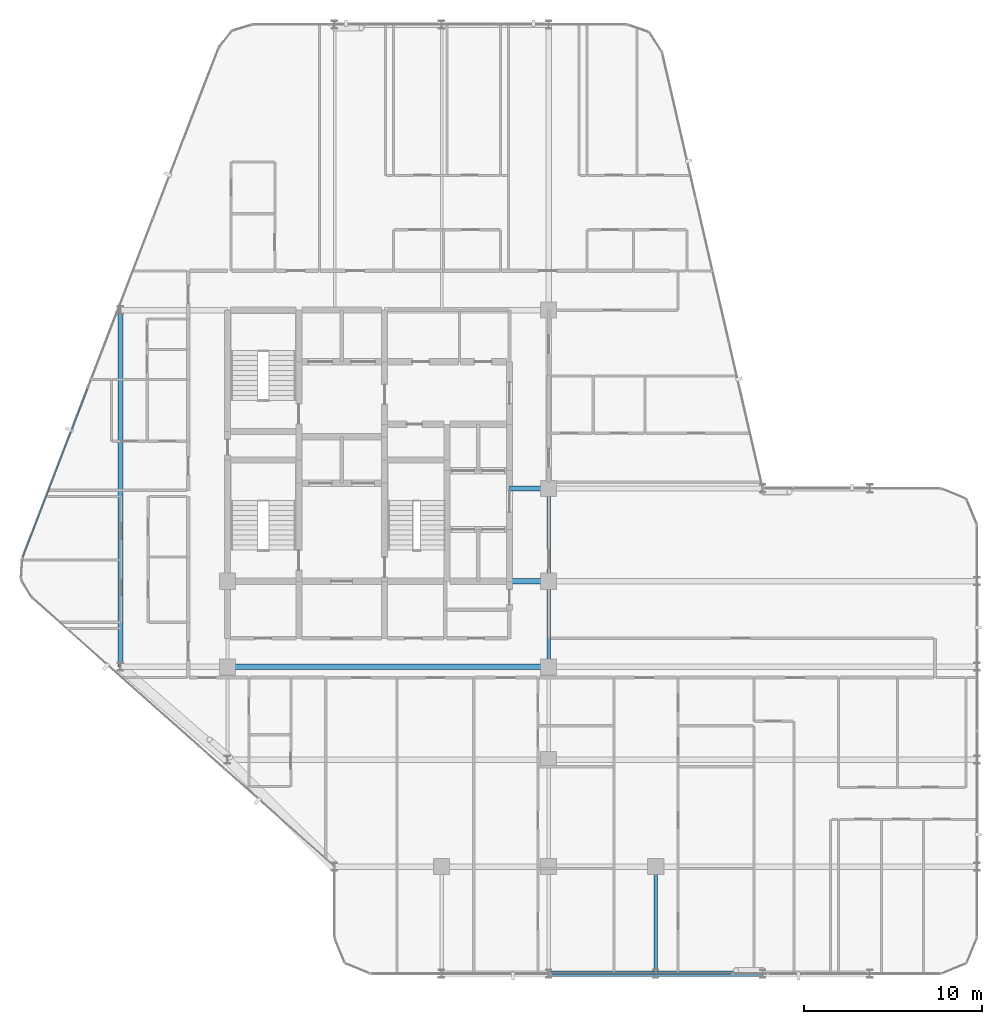
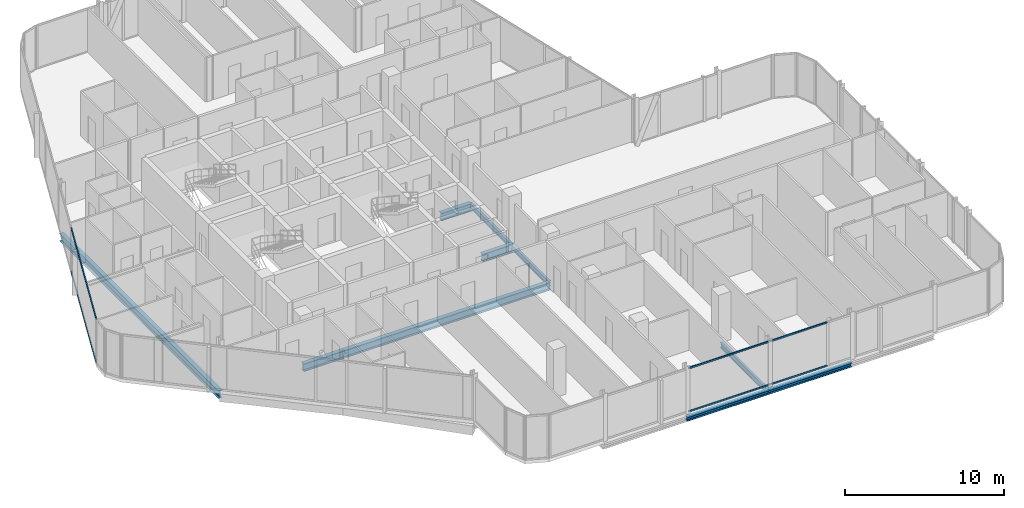
# One storey, part 9 of 29: 9 beams, 4 members, 2 elements without a shape of their own.
"""IFC4 building model written with IfcOpenShell, lengths in metres."""

from ifc_helpers import new_model, si_unit, direction, frame, origin, origin_2d, place, context, subcontext, project, spatial, hollow_rectangle, i_section, extrude, material, layer, layer_set, material_profile, profile_set, type_object, element, aggregate, save


model = new_model("IFC4")

# Units and contexts
model_context = context("Model", 3, precision=1e-05, world=origin(), true_north=direction((0.0, 1.0)))
body_context = subcontext(model_context, "Body", "Model", "MODEL_VIEW")
ifc_project = project(units=[si_unit("LENGTHUNIT", "METRE"), si_unit("AREAUNIT", "SQUARE_METRE"), si_unit("VOLUMEUNIT", "CUBIC_METRE"), si_unit("PLANEANGLEUNIT", "RADIAN"), si_unit("MASSUNIT", "GRAM", prefix="KILO")], contexts=[model_context])

# Site, building, storey
site_placement = place(None, origin())
site = spatial("IfcSite", under=ifc_project, at=site_placement, CompositionType="ELEMENT")
building_placement = place(site_placement, origin())
building = spatial("IfcBuilding", under=site, at=building_placement, Name="Keshet Zoharim Tower", CompositionType="ELEMENT")
storey_placement = place(building_placement, frame((0.0, 0.0, 195.800048828125)))
storey = spatial("IfcBuildingStorey", under=building, at=storey_placement, Name="L48", CompositionType="ELEMENT", Elevation=195.800048828125)

# Beams
ifc_material_1 = material(Name="Steel S355", Category="steel")
ifc_material_profile_1 = material_profile(ifc_material_1, i_section(OverallWidth=0.300048828125, OverallDepth=0.60009765625, WebThickness=0.015380859375, FlangeThickness=0.030029296875, FilletRadius=0.027099609375, at=origin_2d()), Name="HEB600")
ifc_profile_set_1 = profile_set([ifc_material_profile_1], Name="Steel S355")
beam_type_1 = type_object("IfcBeamType", Name="BM-CLK-HB600", PredefinedType="BEAM", material=ifc_profile_set_1)
for number, where, z_axis, x_axis, name in (
    (1, (30.800048828125, 22.699951171875, -0.610107421875), (1.0, 0.0, 0.0), (0.0, 1.0, 0.0), "L48 Core Wall Link Girder 01"),
    (2, (30.800048828125, 27.89990234375, -0.610107421875), (1.0, 0.0, 0.0), (0.0, 1.0, 0.0), "L48 Core Wall Link Girder 02"),
):
    element("IfcBeam", number, at=place(storey_placement, frame(where, z_axis=z_axis, x_axis=x_axis)), inside=storey, type_object=beam_type_1, Name=name, PredefinedType="BEAM", context=body_context, shape_type="SweptSolid", body=[
        extrude(i_section(OverallWidth=0.300048828125, OverallDepth=0.60009765625, WebThickness=0.015380859375, FlangeThickness=0.030029296875, FilletRadius=0.027099609375, at=origin_2d()), origin(), (0.0, 0.0, 1.0), 2.199951171875),
    ])
ifc_material_profile_2 = material_profile(ifc_material_1, i_section(OverallWidth=0.300048828125, OverallDepth=0.60009765625, WebThickness=0.015380859375, FlangeThickness=0.030029296875, FilletRadius=0.027099609375, at=origin_2d()), Name="HEB600")
ifc_profile_set_2 = profile_set([ifc_material_profile_2], Name="Steel S355")
beam_type_2 = type_object("IfcBeamType", Name="BM-LNG-HB600", PredefinedType="BEAM", material=ifc_profile_set_2)
beam_1_placement = place(storey_placement, frame((15.0, 17.89990234375, -0.610107421875), z_axis=(1.0, 0.0, 0.0), x_axis=(0.0, 1.0, 0.0)))
element("IfcBeam", 3, at=beam_1_placement, inside=storey, type_object=beam_type_2, Name="L48 Primary Girder X-012", PredefinedType="BEAM", context=body_context, shape_type="SweptSolid", body=[
    extrude(i_section(OverallWidth=0.300048828125, OverallDepth=0.60009765625, WebThickness=0.015380859375, FlangeThickness=0.030029296875, FilletRadius=0.027099609375, at=origin_2d()), origin(), (0.0, 0.0, 1.0), 18.0),
])
beam_2_placement = place(storey_placement, frame((9.0, 17.89990234375, -0.610107421875), z_axis=(0.0, 1.0, 0.0), x_axis=(-1.0, 0.0, 0.0)))
element("IfcBeam", 4, at=beam_2_placement, inside=storey, type_object=beam_type_2, Name="L48 Primary Girder Y-001", PredefinedType="BEAM", context=body_context, shape_type="SweptSolid", body=[
    extrude(i_section(OverallWidth=0.300048828125, OverallDepth=0.60009765625, WebThickness=0.015380859375, FlangeThickness=0.030029296875, FilletRadius=0.027099609375, at=origin_2d()), origin(), (0.0, 0.0, 1.0), 20.0),
])
ifc_material_profile_3 = material_profile(ifc_material_1, i_section(OverallWidth=0.300048828125, OverallDepth=0.300048828125, WebThickness=0.010986328125, FlangeThickness=0.01904296875, FilletRadius=0.027099609375, at=origin_2d()), Name="HEB300")
ifc_profile_set_3 = profile_set([ifc_material_profile_3], Name="Steel S355")
beam_type_3 = type_object("IfcBeamType", Name="BM-PRI-HB300", PredefinedType="BEAM", material=ifc_profile_set_3)
for number, where, z_axis, x_axis, name in (
    (5, (33.0, 0.699951171875, -0.4599609375), (1.0, 0.0, 0.0), (0.0, 1.0, 0.0), "L48 Primary Girder X-002"),
    (6, (39.0, 0.699951171875, -0.4599609375), (1.0, 0.0, 0.0), (0.0, 1.0, 0.0), "L48 Primary Girder X-003"),
):
    element("IfcBeam", number, at=place(storey_placement, frame(where, z_axis=z_axis, x_axis=x_axis)), inside=storey, type_object=beam_type_3, Name=name, PredefinedType="BEAM", context=body_context, shape_type="SweptSolid", body=[
        extrude(i_section(OverallWidth=0.300048828125, OverallDepth=0.300048828125, WebThickness=0.010986328125, FlangeThickness=0.01904296875, FilletRadius=0.027099609375, at=origin_2d()), origin(), (0.0, 0.0, 1.0), 6.0),
    ])
ifc_material_profile_4 = material_profile(ifc_material_1, i_section(OverallWidth=0.179931640625, OverallDepth=0.39990234375, WebThickness=0.008544921875, FlangeThickness=0.013427734375, FilletRadius=0.02099609375, at=origin_2d()), Name="IPE400")
ifc_profile_set_4 = profile_set([ifc_material_profile_4], Name="Steel S355")
beam_type_4 = type_object("IfcBeamType", Name="BM-PRI-IP400", PredefinedType="BEAM", material=ifc_profile_set_4)
beam_3_placement = place(storey_placement, frame((33.0, 17.89990234375, -0.510009765625), z_axis=(0.0, 1.0, 0.0), x_axis=(-1.0, 0.0, 0.0)))
element("IfcBeam", 7, at=beam_3_placement, inside=storey, type_object=beam_type_4, Name="L48 Primary Girder Y-008", PredefinedType="BEAM", context=body_context, shape_type="SweptSolid", body=[
    extrude(i_section(OverallWidth=0.179931640625, OverallDepth=0.39990234375, WebThickness=0.008544921875, FlangeThickness=0.013427734375, FilletRadius=0.02099609375, at=origin_2d()), origin(), (0.0, 0.0, 1.0), 4.800048828125),
])
beam_4_placement = place(storey_placement, frame((33.0, 22.699951171875, -0.510009765625), z_axis=(0.0, 1.0, 0.0), x_axis=(-1.0, 0.0, 0.0)))
element("IfcBeam", 8, at=beam_4_placement, inside=storey, type_object=beam_type_4, Name="L48 Primary Girder Y-009", PredefinedType="BEAM", context=body_context, shape_type="SweptSolid", body=[
    extrude(i_section(OverallWidth=0.179931640625, OverallDepth=0.39990234375, WebThickness=0.008544921875, FlangeThickness=0.013427734375, FilletRadius=0.02099609375, at=origin_2d()), origin(), (0.0, 0.0, 1.0), 5.199951171875),
])
beam_5_placement = place(storey_placement, frame((39.0, 0.699951171875, -0.510009765625), z_axis=(0.0, 1.0, 0.0), x_axis=(-1.0, 0.0, 0.0)))
element("IfcBeam", 9, at=beam_5_placement, inside=storey, type_object=beam_type_4, Name="L48 Primary Girder Y-012", PredefinedType="BEAM", context=body_context, shape_type="SweptSolid", body=[
    extrude(i_section(OverallWidth=0.179931640625, OverallDepth=0.39990234375, WebThickness=0.008544921875, FlangeThickness=0.013427734375, FilletRadius=0.02099609375, at=origin_2d()), origin(), (0.0, 0.0, 1.0), 6.0),
])

# Curtain wall, members
ifc_material_2 = material(Name="Aluminium 6063-T6", Category="aluminium")
ifc_layer = layer(ifc_material_2, 0.139892578125)
ifc_layer_set = layer_set([ifc_layer], Name="Aluminium 6063-T6")
curtain_wall_type = type_object("IfcCurtainWallType", Name="CW-SYS-05", PredefinedType="NOTDEFINED", material=ifc_layer_set)
curtain_wall_1_placement = place(storey_placement, origin())
curtain_wall_1 = element("IfcCurtainWall", 10, at=curtain_wall_1_placement, inside=storey, type_object=curtain_wall_type, Name="L48 Unitised Curtain Wall 06 Part 3", PredefinedType="NOTDEFINED")
ifc_material_profile_5 = material_profile(ifc_material_2, hollow_rectangle(XDim=0.074951171875, YDim=0.1201171875, WallThickness=0.00390625, at=origin_2d()), Name="TRN-75x120")
ifc_profile_set_5 = profile_set([ifc_material_profile_5], Name="Aluminium 6063-T6")
member_type = type_object("IfcMemberType", Name="CWT-T12", PredefinedType="USERDEFINED", material=ifc_profile_set_5)
member_1_placement = place(storey_placement, frame((43.251953125, 0.699951171875, 0.034912109375), z_axis=(-1.0, 0.0, 0.0), x_axis=(0.0, -1.0, 0.0)))
member_1 = element("IfcMember", 11, at=member_1_placement, type_object=member_type, Name="CW-05 transom 1.1", ObjectType="TRANSOM", PredefinedType="USERDEFINED", context=body_context, shape_type="SweptSolid", body=[
    extrude(hollow_rectangle(XDim=0.074951171875, YDim=0.1201171875, WallThickness=0.00390625, at=origin_2d()), origin(), (0.0, 0.0, 1.0), 10.091064453125),
])
member_2_placement = place(storey_placement, frame((43.251953125, 0.699951171875, 3.35498046875), z_axis=(-1.0, 0.0, 0.0), x_axis=(0.0, -1.0, 0.0)))
member_2 = element("IfcMember", 12, at=member_2_placement, type_object=member_type, Name="CW-05 transom 1.2", ObjectType="TRANSOM", PredefinedType="USERDEFINED", context=body_context, shape_type="SweptSolid", body=[
    extrude(hollow_rectangle(XDim=0.074951171875, YDim=0.1201171875, WallThickness=0.00390625, at=origin_2d()), origin(), (0.0, 0.0, 1.0), 10.091064453125),
])
aggregate(curtain_wall_1, [member_1, member_2])

curtain_wall_2_placement = place(storey_placement, origin())
curtain_wall_2 = element("IfcCurtainWall", 13, at=curtain_wall_2_placement, inside=storey, type_object=curtain_wall_type, Name="L48 Unitised Curtain Wall 13", PredefinedType="NOTDEFINED")
member_3_placement = place(storey_placement, frame((3.522216796875, 24.058349609375, 0.034912109375), z_axis=(0.358993631387, 0.93334000912, 0.0), x_axis=(-0.93334000912, 0.358993631387, 0.0)))
member_3 = element("IfcMember", 14, at=member_3_placement, type_object=member_type, Name="CW-05 transom 1.1", ObjectType="TRANSOM", PredefinedType="USERDEFINED", context=body_context, shape_type="SweptSolid", body=[
    extrude(hollow_rectangle(XDim=0.074951171875, YDim=0.1201171875, WallThickness=0.00390625, at=origin_2d()), origin(), (0.0, 0.0, 1.0), 10.1181640625),
])
member_4_placement = place(storey_placement, frame((3.522216796875, 24.058349609375, 3.35498046875), z_axis=(0.358993631387, 0.93334000912, 0.0), x_axis=(-0.93334000912, 0.358993631387, 0.0)))
member_4 = element("IfcMember", 15, at=member_4_placement, type_object=member_type, Name="CW-05 transom 1.2", ObjectType="TRANSOM", PredefinedType="USERDEFINED", context=body_context, shape_type="SweptSolid", body=[
    extrude(hollow_rectangle(XDim=0.074951171875, YDim=0.1201171875, WallThickness=0.00390625, at=origin_2d()), origin(), (0.0, 0.0, 1.0), 10.1181640625),
])
aggregate(curtain_wall_2, [member_3, member_4])

save(model, "model.ifc")
